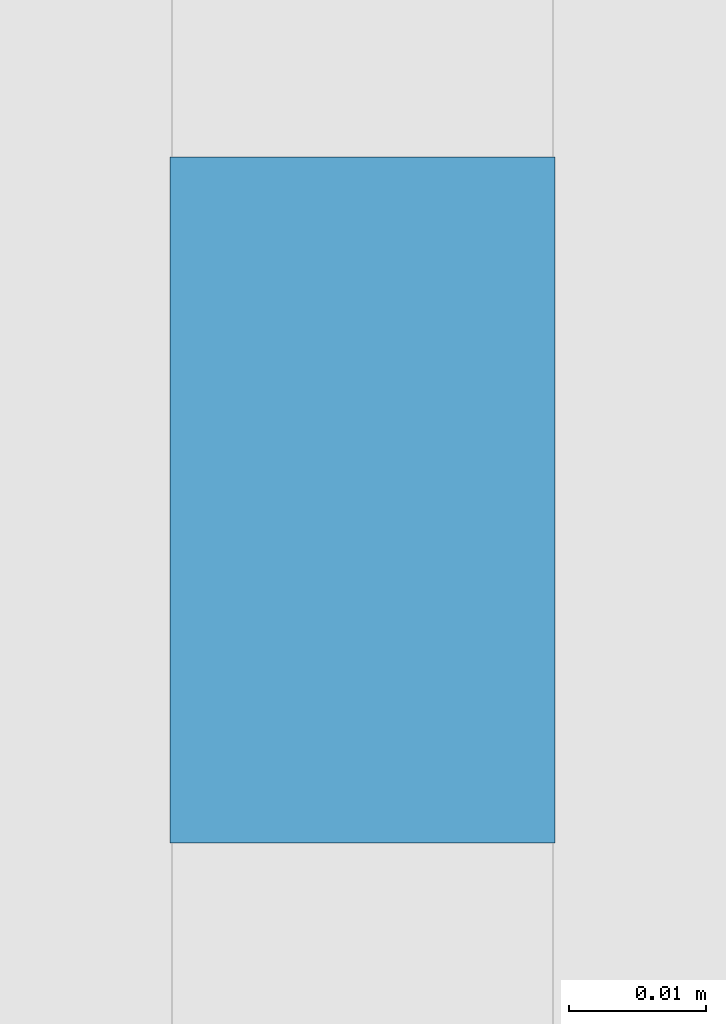
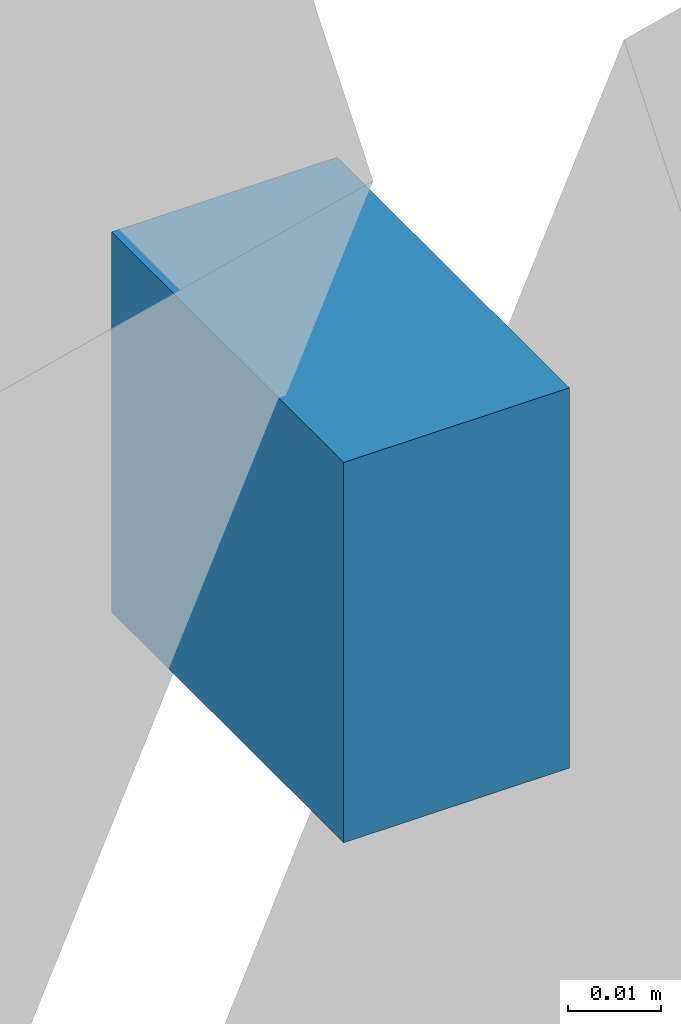
# One storey, part 23 of 26: 1 discrete accessory, 1 element without a shape of its own.
"""IFC4 building model written with IfcOpenShell, lengths in metres."""

from ifc_helpers import new_model, si_unit, direction, frame, origin, origin_2d, place, context, subcontext, project, spatial, rectangle, extrude, material, type_object, element, aggregate, save


model = new_model("IFC4")

# Units and contexts
model_context = context("Model", 3, precision=1e-05, world=origin(), true_north=direction((0.0, 1.0)))
body_context = subcontext(model_context, "Body", "Model", "MODEL_VIEW")
ifc_project = project(units=[si_unit("LENGTHUNIT", "METRE"), si_unit("AREAUNIT", "SQUARE_METRE"), si_unit("VOLUMEUNIT", "CUBIC_METRE"), si_unit("PLANEANGLEUNIT", "RADIAN"), si_unit("MASSUNIT", "GRAM", prefix="KILO")], contexts=[model_context])

# Site, building, storey
site_placement = place(None, origin())
site = spatial("IfcSite", under=ifc_project, at=site_placement, CompositionType="ELEMENT")
building_placement = place(site_placement, origin())
building = spatial("IfcBuilding", under=site, at=building_placement, Name="Tessera Arch", CompositionType="ELEMENT")
storey_placement = place(building_placement, frame((0.0, 0.0, 96.800048828125)))
storey = spatial("IfcBuildingStorey", under=building, at=storey_placement, Name="L22", CompositionType="ELEMENT", Elevation=96.800048828125)

# Curtain wall, discrete accessory
ifc_material = material(Name="CW3 curtain wall")
curtain_wall_type = type_object("IfcCurtainWallType", Name="CW3 curtain wall", PredefinedType="NOTDEFINED", material=ifc_material)
curtain_wall_placement = place(storey_placement, origin())
curtain_wall = element("IfcCurtainWall", 1, at=curtain_wall_placement, inside=storey, type_object=curtain_wall_type, Name="CW3 curtain wall E54.0/3 L22", PredefinedType="NOTDEFINED")
discrete_accessory_placement = place(storey_placement, frame((54.0439453125, 32.010986328125, 1.0537109375), z_axis=(0.0, 0.0, 1.0), x_axis=(0.0, 1.0, 0.0)))
discrete_accessory = element("IfcDiscreteAccessory", 2, at=discrete_accessory_placement, Name="Glazing bracket", PredefinedType="BRACKET", context=body_context, shape_type="SweptSolid", body=[
    extrude(rectangle(XDim=0.050048828125, YDim=0.028076171875, at=origin_2d()), origin(), (0.0, 0.0, 1.0), 0.050048828125),
])
aggregate(curtain_wall, [discrete_accessory])

save(model, "model.ifc")
